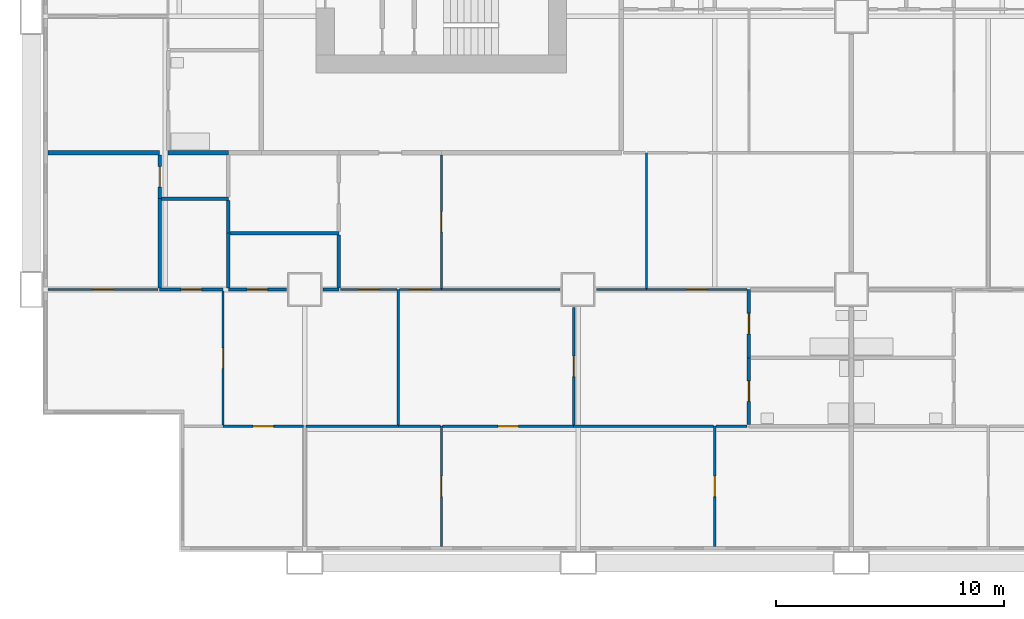
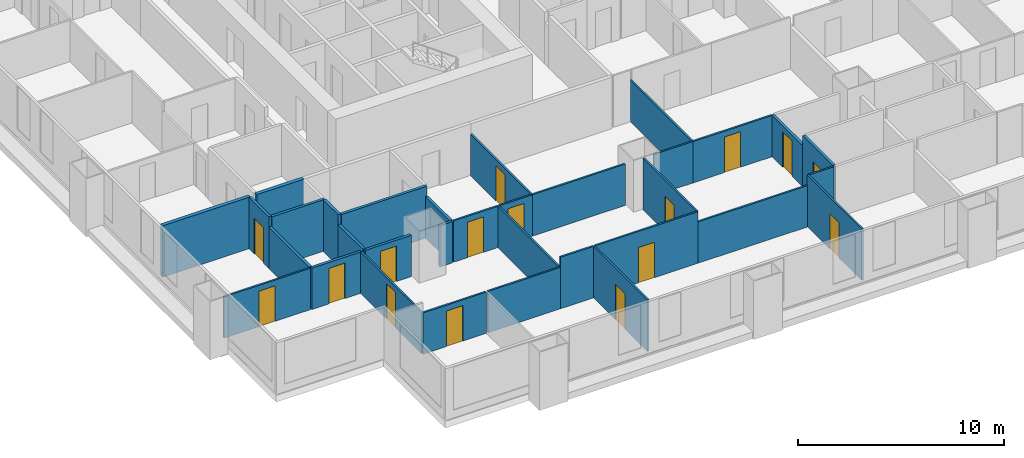
# One storey, part 2 of 14: 33 walls, 16 doors, 16 openings.
"""IFC4 building model written with IfcOpenShell, lengths in metres."""

from ifc_helpers import new_model, si_unit, direction, frame, frame_2d, origin, place, context, subcontext, project, spatial, rectangle, extrude, material, layer, layer_set, type_object, element, fill, save


model = new_model("IFC4")

# Units and contexts
model_context = context("Model", 3, precision=1e-05, world=origin(), true_north=direction((0.0, 1.0)))
body_context = subcontext(model_context, "Body", "Model", "MODEL_VIEW")
ifc_project = project(units=[si_unit("LENGTHUNIT", "METRE"), si_unit("AREAUNIT", "SQUARE_METRE"), si_unit("VOLUMEUNIT", "CUBIC_METRE"), si_unit("PLANEANGLEUNIT", "RADIAN"), si_unit("MASSUNIT", "GRAM", prefix="KILO")], contexts=[model_context])

# Site, building, storey
site_placement = place(None, origin())
site = spatial("IfcSite", under=ifc_project, at=site_placement, CompositionType="ELEMENT")
building_placement = place(site_placement, origin())
building = spatial("IfcBuilding", under=site, at=building_placement, Name="Kitamizu Gate Tower and Museum", CompositionType="ELEMENT")
storey_placement = place(building_placement, frame((0.0, 0.0, 64.5)))
storey = spatial("IfcBuildingStorey", under=building, at=storey_placement, Name="L15", CompositionType="ELEMENT", Elevation=64.5)

# Wall, opening, door
ifc_material_1 = material(Name="Gypsum board on galvanised stud")
ifc_layer_1 = layer(ifc_material_1, 0.10009765625)
ifc_layer_set_1 = layer_set([ifc_layer_1], Name="Gypsum board on galvanised stud")
wall_type_1 = type_object("IfcWallType", Name="Partition 100 NOT RATED", PredefinedType="PARTITIONING", material=ifc_layer_set_1)
wall_1_placement = place(storey_placement, frame((11.949951171875, 6.0, 0.0), z_axis=(0.0, 0.0, 1.0), x_axis=(-1.0, 0.0, 0.0)))
wall_1 = element("IfcWall", 1, at=wall_1_placement, inside=storey, type_object=wall_type_1, Name="Partition L15-003", PredefinedType="PARTITIONING", context=body_context, shape_type="SweptSolid", body=[
    extrude(rectangle(XDim=3.534912109375, YDim=0.10009765625, at=frame_2d((1.767578125, 0.0))), origin(), (0.0, 0.0, 1.0), 2.449951171875),
])
opening_1_placement = place(wall_1_placement, frame((1.3173828125, 0.0, 0.0)))
opening_1 = element("IfcOpeningElement", 2, at=opening_1_placement, cuts=wall_1, Name="Opening L15-008", PredefinedType="OPENING", context=body_context, shape_type="SweptSolid", body=[
    extrude(rectangle(XDim=0.89990234375, YDim=2.10009765625, at=frame_2d((0.449951171875, 1.050048828125))), frame((0.0, 0.06005859375, 0.0), z_axis=(0.0, -1.0, 0.0), x_axis=(1.0, 0.0, 0.0)), (0.0, 0.0, 1.0), 0.1201171875),
])
ifc_material_2 = material(Name="Timber door set", Category="wood")
door_type_1 = type_object("IfcDoorType", Name="Room door 900", OperationType="NOTDEFINED", PredefinedType="DOOR", material=ifc_material_2)
door_1_placement = place(opening_1_placement, origin())
door_1 = element("IfcDoor", 3, at=door_1_placement, inside=storey, type_object=door_type_1, Name="Door L15-008", OperationType="SINGLE_SWING_RIGHT", OverallHeight=2.10009765625, OverallWidth=0.89990234375, PredefinedType="DOOR", context=body_context, shape_type="SweptSolid", body=[
    extrude(rectangle(XDim=0.89990234375, YDim=2.10009765625, at=frame_2d((0.449951171875, 1.050048828125))), frame((0.0, 0.02490234375, 0.0), z_axis=(0.0, -1.0, 0.0), x_axis=(1.0, 0.0, 0.0)), (0.0, 0.0, 1.0), 0.050048828125),
])
fill(opening_1, door_1)

wall_2_placement = place(storey_placement, frame((18.0, 0.719970703125, 0.0), z_axis=(0.0, 0.0, 1.0), x_axis=(0.0, 1.0, 0.0)))
wall_2 = element("IfcWall", 4, at=wall_2_placement, inside=storey, type_object=wall_type_1, Name="Partition L15-004", PredefinedType="PARTITIONING", context=body_context, shape_type="SweptSolid", body=[
    extrude(rectangle(XDim=5.280029296875, YDim=0.10009765625, at=frame_2d((2.64013671875, 0.0))), origin(), (0.0, 0.0, 1.0), 3.050048828125),
])
opening_2_placement = place(wall_2_placement, frame((2.18994140625, 0.0, 0.0)))
opening_2 = element("IfcOpeningElement", 5, at=opening_2_placement, cuts=wall_2, Name="Opening L15-009", PredefinedType="OPENING", context=body_context, shape_type="SweptSolid", body=[
    extrude(rectangle(XDim=0.89990234375, YDim=2.10009765625, at=frame_2d((0.449951171875, 1.050048828125))), frame((0.0, 0.06005859375, 0.0), z_axis=(0.0, -1.0, 0.0), x_axis=(1.0, 0.0, 0.0)), (0.0, 0.0, 1.0), 0.1201171875),
])
door_2_placement = place(opening_2_placement, origin())
door_2 = element("IfcDoor", 6, at=door_2_placement, inside=storey, type_object=door_type_1, Name="Door L15-009", OperationType="SINGLE_SWING_LEFT", OverallHeight=2.10009765625, OverallWidth=0.89990234375, PredefinedType="DOOR", context=body_context, shape_type="SweptSolid", body=[
    extrude(rectangle(XDim=0.89990234375, YDim=2.10009765625, at=frame_2d((0.449951171875, 1.050048828125))), frame((0.0, 0.02490234375, 0.0), z_axis=(0.0, -1.0, 0.0), x_axis=(1.0, 0.0, 0.0)), (0.0, 0.0, 1.0), 0.050048828125),
])
fill(opening_2, door_2)

# Walls
wall_3_placement = place(storey_placement, frame((16.110107421875, 6.0, 0.0), z_axis=(0.0, 0.0, 1.0), x_axis=(-1.0, 0.0, 0.0)))
element("IfcWall", 7, at=wall_3_placement, inside=storey, type_object=wall_type_1, Name="Partition L15-005", PredefinedType="PARTITIONING", context=body_context, shape_type="SweptSolid", body=[
    extrude(rectangle(XDim=4.06005859375, YDim=0.10009765625, at=frame_2d((2.030029296875, 0.0))), origin(), (0.0, 0.0, 1.0), 2.449951171875),
])
wall_4_placement = place(storey_placement, frame((17.949951171875, 6.0, 0.0), z_axis=(0.0, 0.0, 1.0), x_axis=(-1.0, 0.0, 0.0)))
element("IfcWall", 8, at=wall_4_placement, inside=storey, type_object=wall_type_1, Name="Partition L15-006", PredefinedType="PARTITIONING", context=body_context, shape_type="SweptSolid", body=[
    extrude(rectangle(XDim=1.83984375, YDim=0.10009765625, at=frame_2d((0.919921875, 0.0))), origin(), (0.0, 0.0, 1.0), 3.050048828125),
])

# Wall, opening, door
wall_5_placement = place(storey_placement, frame((30.0, 0.719970703125, 0.0), z_axis=(0.0, 0.0, 1.0), x_axis=(0.0, 1.0, 0.0)))
wall_5 = element("IfcWall", 9, at=wall_5_placement, inside=storey, type_object=wall_type_1, Name="Partition L15-007", PredefinedType="PARTITIONING", context=body_context, shape_type="SweptSolid", body=[
    extrude(rectangle(XDim=5.280029296875, YDim=0.10009765625, at=frame_2d((2.64013671875, 0.0))), origin(), (0.0, 0.0, 1.0), 3.050048828125),
])
opening_3_placement = place(wall_5_placement, frame((2.18994140625, 0.0, 0.0)))
opening_3 = element("IfcOpeningElement", 10, at=opening_3_placement, cuts=wall_5, Name="Opening L15-010", PredefinedType="OPENING", context=body_context, shape_type="SweptSolid", body=[
    extrude(rectangle(XDim=0.89990234375, YDim=2.10009765625, at=frame_2d((0.449951171875, 1.050048828125))), frame((0.0, 0.06005859375, 0.0), z_axis=(0.0, -1.0, 0.0), x_axis=(1.0, 0.0, 0.0)), (0.0, 0.0, 1.0), 0.1201171875),
])
door_3_placement = place(opening_3_placement, frame((0.89990234375, 0.0, 0.0), x_axis=(-1.0, 0.0, 0.0)))
door_3 = element("IfcDoor", 11, at=door_3_placement, inside=storey, type_object=door_type_1, Name="Door L15-010", OperationType="SINGLE_SWING_LEFT", OverallHeight=2.10009765625, OverallWidth=0.89990234375, PredefinedType="DOOR", context=body_context, shape_type="SweptSolid", body=[
    extrude(rectangle(XDim=0.89990234375, YDim=2.10009765625, at=frame_2d((0.449951171875, 1.050048828125))), frame((0.0, 0.02490234375, 0.0), z_axis=(0.0, -1.0, 0.0), x_axis=(1.0, 0.0, 0.0)), (0.0, 0.0, 1.0), 0.050048828125),
])
fill(opening_3, door_3)

wall_6_placement = place(storey_placement, frame((23.804931640625, 6.0, 0.0), z_axis=(0.0, 0.0, 1.0), x_axis=(-1.0, 0.0, 0.0)))
wall_6 = element("IfcWall", 12, at=wall_6_placement, inside=storey, type_object=wall_type_1, Name="Partition L15-008", PredefinedType="PARTITIONING", context=body_context, shape_type="SweptSolid", body=[
    extrude(rectangle(XDim=5.7548828125, YDim=0.10009765625, at=frame_2d((2.87744140625, 0.0))), origin(), (0.0, 0.0, 1.0), 3.050048828125),
])
opening_4_placement = place(wall_6_placement, frame((2.427490234375, 0.0, 0.0)))
opening_4 = element("IfcOpeningElement", 13, at=opening_4_placement, cuts=wall_6, Name="Opening L15-005", PredefinedType="OPENING", context=body_context, shape_type="SweptSolid", body=[
    extrude(rectangle(XDim=0.89990234375, YDim=2.10009765625, at=frame_2d((0.449951171875, 1.050048828125))), frame((0.0, 0.06005859375, 0.0), z_axis=(0.0, -1.0, 0.0), x_axis=(1.0, 0.0, 0.0)), (0.0, 0.0, 1.0), 0.1201171875),
])
door_4_placement = place(opening_4_placement, frame((0.89990234375, 0.0, 0.0), x_axis=(-1.0, 0.0, 0.0)))
door_4 = element("IfcDoor", 14, at=door_4_placement, inside=storey, type_object=door_type_1, Name="Door L15-005", OperationType="SINGLE_SWING_LEFT", OverallHeight=2.10009765625, OverallWidth=0.89990234375, PredefinedType="DOOR", context=body_context, shape_type="SweptSolid", body=[
    extrude(rectangle(XDim=0.89990234375, YDim=2.10009765625, at=frame_2d((0.449951171875, 1.050048828125))), frame((0.0, 0.02490234375, 0.0), z_axis=(0.0, -1.0, 0.0), x_axis=(1.0, 0.0, 0.0)), (0.0, 0.0, 1.0), 0.050048828125),
])
fill(opening_4, door_4)

# Walls
wall_7_placement = place(storey_placement, frame((29.949951171875, 6.0, 0.0), z_axis=(0.0, 0.0, 1.0), x_axis=(-1.0, 0.0, 0.0)))
element("IfcWall", 15, at=wall_7_placement, inside=storey, type_object=wall_type_1, Name="Partition L15-009", PredefinedType="PARTITIONING", context=body_context, shape_type="SweptSolid", body=[
    extrude(rectangle(XDim=6.14501953125, YDim=0.10009765625, at=frame_2d((3.072509765625, 0.0))), origin(), (0.0, 0.0, 1.0), 2.449951171875),
])
wall_8_placement = place(storey_placement, frame((31.425048828125, 6.0, 0.0), z_axis=(0.0, 0.0, 1.0), x_axis=(-1.0, 0.0, 0.0)))
element("IfcWall", 16, at=wall_8_placement, inside=storey, type_object=wall_type_1, Name="Partition L15-010", PredefinedType="PARTITIONING", context=body_context, shape_type="SweptSolid", body=[
    extrude(rectangle(XDim=1.375, YDim=0.10009765625, at=frame_2d((0.6875, 0.0))), origin(), (0.0, 0.0, 1.0), 3.050048828125),
])

# Wall, opening, door
wall_9_placement = place(storey_placement, frame((8.4150390625, 6.050048828125, 0.0), z_axis=(0.0, 0.0, 1.0), x_axis=(0.0, 1.0, 0.0)))
wall_9 = element("IfcWall", 17, at=wall_9_placement, inside=storey, type_object=wall_type_1, Name="Partition L15-013", PredefinedType="PARTITIONING", context=body_context, shape_type="SweptSolid", body=[
    extrude(rectangle(XDim=5.875, YDim=0.10009765625, at=frame_2d((2.9375, 0.0))), origin(), (0.0, 0.0, 1.0), 2.449951171875),
])
opening_5_placement = place(wall_9_placement, frame((2.487548828125, 0.0, 0.0)))
opening_5 = element("IfcOpeningElement", 18, at=opening_5_placement, cuts=wall_9, Name="Opening L15-004", PredefinedType="OPENING", context=body_context, shape_type="SweptSolid", body=[
    extrude(rectangle(XDim=0.89990234375, YDim=2.10009765625, at=frame_2d((0.449951171875, 1.050048828125))), frame((0.0, 0.06005859375, 0.0), z_axis=(0.0, -1.0, 0.0), x_axis=(1.0, 0.0, 0.0)), (0.0, 0.0, 1.0), 0.1201171875),
])
door_5_placement = place(opening_5_placement, frame((0.89990234375, 0.0, 0.0), x_axis=(-1.0, 0.0, 0.0)))
door_5 = element("IfcDoor", 19, at=door_5_placement, inside=storey, type_object=door_type_1, Name="Door L15-004", OperationType="SINGLE_SWING_RIGHT", OverallHeight=2.10009765625, OverallWidth=0.89990234375, PredefinedType="DOOR", context=body_context, shape_type="SweptSolid", body=[
    extrude(rectangle(XDim=0.89990234375, YDim=2.10009765625, at=frame_2d((0.449951171875, 1.050048828125))), frame((0.0, 0.02490234375, 0.0), z_axis=(0.0, -1.0, 0.0), x_axis=(1.0, 0.0, 0.0)), (0.0, 0.0, 1.0), 0.050048828125),
])
fill(opening_5, door_5)

wall_10_placement = place(storey_placement, frame((5.55810546875, 12.0, 0.0), z_axis=(0.0, 0.0, 1.0), x_axis=(-1.0, 0.0, 0.0)))
wall_10 = element("IfcWall", 20, at=wall_10_placement, inside=storey, type_object=wall_type_1, Name="Partition L15-014", PredefinedType="PARTITIONING", context=body_context, shape_type="SweptSolid", body=[
    extrude(rectangle(XDim=4.838134765625, YDim=0.10009765625, at=frame_2d((2.4189453125, 0.0))), origin(), (0.0, 0.0, 1.0), 2.449951171875),
])
opening_6_placement = place(wall_10_placement, frame((1.968994140625, 0.0, 0.0)))
opening_6 = element("IfcOpeningElement", 21, at=opening_6_placement, cuts=wall_10, Name="Opening L15-012", PredefinedType="OPENING", context=body_context, shape_type="SweptSolid", body=[
    extrude(rectangle(XDim=0.89990234375, YDim=2.10009765625, at=frame_2d((0.449951171875, 1.050048828125))), frame((0.0, 0.06005859375, 0.0), z_axis=(0.0, -1.0, 0.0), x_axis=(1.0, 0.0, 0.0)), (0.0, 0.0, 1.0), 0.1201171875),
])
door_6_placement = place(opening_6_placement, frame((0.89990234375, 0.0, 0.0), x_axis=(-1.0, 0.0, 0.0)))
door_6 = element("IfcDoor", 22, at=door_6_placement, inside=storey, type_object=door_type_1, Name="Door L15-012", OperationType="SINGLE_SWING_LEFT", OverallHeight=2.10009765625, OverallWidth=0.89990234375, PredefinedType="DOOR", context=body_context, shape_type="SweptSolid", body=[
    extrude(rectangle(XDim=0.89990234375, YDim=2.10009765625, at=frame_2d((0.449951171875, 1.050048828125))), frame((0.0, 0.02490234375, 0.0), z_axis=(0.0, -1.0, 0.0), x_axis=(1.0, 0.0, 0.0)), (0.0, 0.0, 1.0), 0.050048828125),
])
fill(opening_6, door_6)

# Wall
wall_11_placement = place(storey_placement, frame((16.110107421875, 6.050048828125, 0.0), z_axis=(0.0, 0.0, 1.0), x_axis=(0.0, 1.0, 0.0)))
element("IfcWall", 23, at=wall_11_placement, inside=storey, type_object=wall_type_1, Name="Partition L15-016", PredefinedType="PARTITIONING", context=body_context, shape_type="SweptSolid", body=[
    extrude(rectangle(XDim=5.949951171875, YDim=0.10009765625, at=frame_2d((2.97509765625, 0.0))), origin(), (0.0, 0.0, 1.0), 2.449951171875),
])

# Wall, opening, door
wall_12_placement = place(storey_placement, frame((16.06005859375, 12.0, 0.0), z_axis=(0.0, 0.0, 1.0), x_axis=(-1.0, 0.0, 0.0)))
wall_12 = element("IfcWall", 24, at=wall_12_placement, inside=storey, type_object=wall_type_1, Name="Partition L15-019", PredefinedType="PARTITIONING", context=body_context, shape_type="SweptSolid", body=[
    extrude(rectangle(XDim=2.485107421875, YDim=0.10009765625, at=frame_2d((1.24267578125, 0.0))), origin(), (0.0, 0.0, 1.0), 2.449951171875),
])
opening_7_placement = place(wall_12_placement, frame((0.79248046875, 0.0, 0.0)))
opening_7 = element("IfcOpeningElement", 25, at=opening_7_placement, cuts=wall_12, Name="Opening L15-002", PredefinedType="OPENING", context=body_context, shape_type="SweptSolid", body=[
    extrude(rectangle(XDim=0.89990234375, YDim=2.10009765625, at=frame_2d((0.449951171875, 1.050048828125))), frame((0.0, 0.06005859375, 0.0), z_axis=(0.0, -1.0, 0.0), x_axis=(1.0, 0.0, 0.0)), (0.0, 0.0, 1.0), 0.1201171875),
])
door_7_placement = place(opening_7_placement, origin())
door_7 = element("IfcDoor", 26, at=door_7_placement, inside=storey, type_object=door_type_1, Name="Door L15-002", OperationType="SINGLE_SWING_RIGHT", OverallHeight=2.10009765625, OverallWidth=0.89990234375, PredefinedType="DOOR", context=body_context, shape_type="SweptSolid", body=[
    extrude(rectangle(XDim=0.89990234375, YDim=2.10009765625, at=frame_2d((0.449951171875, 1.050048828125))), frame((0.0, 0.02490234375, 0.0), z_axis=(0.0, -1.0, 0.0), x_axis=(1.0, 0.0, 0.0)), (0.0, 0.0, 1.0), 0.050048828125),
])
fill(opening_7, door_7)

wall_13_placement = place(storey_placement, frame((23.804931640625, 6.050048828125, 0.0), z_axis=(0.0, 0.0, 1.0), x_axis=(0.0, 1.0, 0.0)))
wall_13 = element("IfcWall", 27, at=wall_13_placement, inside=storey, type_object=wall_type_1, Name="Partition L15-020", PredefinedType="PARTITIONING", context=body_context, shape_type="SweptSolid", body=[
    extrude(rectangle(XDim=5.14990234375, YDim=0.10009765625, at=frame_2d((2.574951171875, 0.0))), origin(), (0.0, 0.0, 1.0), 3.050048828125),
])
opening_8_placement = place(wall_13_placement, frame((2.125, 0.0, 0.0)))
opening_8 = element("IfcOpeningElement", 28, at=opening_8_placement, cuts=wall_13, Name="Opening L15-006", PredefinedType="OPENING", context=body_context, shape_type="SweptSolid", body=[
    extrude(rectangle(XDim=0.89990234375, YDim=2.10009765625, at=frame_2d((0.449951171875, 1.050048828125))), frame((0.0, 0.06005859375, 0.0), z_axis=(0.0, -1.0, 0.0), x_axis=(1.0, 0.0, 0.0)), (0.0, 0.0, 1.0), 0.1201171875),
])
door_8_placement = place(opening_8_placement, frame((0.89990234375, 0.0, 0.0), x_axis=(-1.0, 0.0, 0.0)))
door_8 = element("IfcDoor", 29, at=door_8_placement, inside=storey, type_object=door_type_1, Name="Door L15-006", OperationType="SINGLE_SWING_RIGHT", OverallHeight=2.10009765625, OverallWidth=0.89990234375, PredefinedType="DOOR", context=body_context, shape_type="SweptSolid", body=[
    extrude(rectangle(XDim=0.89990234375, YDim=2.10009765625, at=frame_2d((0.449951171875, 1.050048828125))), frame((0.0, 0.02490234375, 0.0), z_axis=(0.0, -1.0, 0.0), x_axis=(1.0, 0.0, 0.0)), (0.0, 0.0, 1.0), 0.050048828125),
])
fill(opening_8, door_8)

wall_14_placement = place(storey_placement, frame((18.0, 12.0, 0.0), z_axis=(0.0, 0.0, 1.0), x_axis=(-1.0, 0.0, 0.0)))
wall_14 = element("IfcWall", 30, at=wall_14_placement, inside=storey, type_object=wall_type_1, Name="Partition L15-021", PredefinedType="PARTITIONING", context=body_context, shape_type="SweptSolid", body=[
    extrude(rectangle(XDim=1.840087890625, YDim=0.10009765625, at=frame_2d((0.919921875, 0.0))), origin(), (0.0, 0.0, 1.0), 2.449951171875),
])
opening_9_placement = place(wall_14_placement, frame((0.469970703125, 0.0, 0.0)))
opening_9 = element("IfcOpeningElement", 31, at=opening_9_placement, cuts=wall_14, Name="Opening L15-003", PredefinedType="OPENING", context=body_context, shape_type="SweptSolid", body=[
    extrude(rectangle(XDim=0.89990234375, YDim=2.10009765625, at=frame_2d((0.449951171875, 1.050048828125))), frame((0.0, 0.06005859375, 0.0), z_axis=(0.0, -1.0, 0.0), x_axis=(1.0, 0.0, 0.0)), (0.0, 0.0, 1.0), 0.1201171875),
])
door_9_placement = place(opening_9_placement, origin())
door_9 = element("IfcDoor", 32, at=door_9_placement, inside=storey, type_object=door_type_1, Name="Door L15-003", OperationType="SINGLE_SWING_LEFT", OverallHeight=2.10009765625, OverallWidth=0.89990234375, PredefinedType="DOOR", context=body_context, shape_type="SweptSolid", body=[
    extrude(rectangle(XDim=0.89990234375, YDim=2.10009765625, at=frame_2d((0.449951171875, 1.050048828125))), frame((0.0, 0.02490234375, 0.0), z_axis=(0.0, -1.0, 0.0), x_axis=(1.0, 0.0, 0.0)), (0.0, 0.0, 1.0), 0.050048828125),
])
fill(opening_9, door_9)

# Walls
wall_15_placement = place(storey_placement, frame((23.199951171875, 12.0, 0.0), z_axis=(0.0, 0.0, 1.0), x_axis=(-1.0, 0.0, 0.0)))
element("IfcWall", 33, at=wall_15_placement, inside=storey, type_object=wall_type_1, Name="Partition L15-022", PredefinedType="PARTITIONING", context=body_context, shape_type="SweptSolid", body=[
    extrude(rectangle(XDim=5.199951171875, YDim=0.10009765625, at=frame_2d((2.60009765625, 0.0))), origin(), (0.0, 0.0, 1.0), 2.449951171875),
])
wall_16_placement = place(storey_placement, frame((27.0, 12.0, 0.0), z_axis=(0.0, 0.0, 1.0), x_axis=(-1.0, 0.0, 0.0)))
element("IfcWall", 34, at=wall_16_placement, inside=storey, type_object=wall_type_1, Name="Partition L15-025", PredefinedType="PARTITIONING", context=body_context, shape_type="SweptSolid", body=[
    extrude(rectangle(XDim=2.199951171875, YDim=0.10009765625, at=frame_2d((1.10009765625, 0.0))), origin(), (0.0, 0.0, 1.0), 2.449951171875),
])

# Wall, opening, door
wall_17_placement = place(storey_placement, frame((31.425048828125, 12.0, 0.0), z_axis=(0.0, 0.0, 1.0), x_axis=(-1.0, 0.0, 0.0)))
wall_17 = element("IfcWall", 35, at=wall_17_placement, inside=storey, type_object=wall_type_1, Name="Partition L15-026", PredefinedType="PARTITIONING", context=body_context, shape_type="SweptSolid", body=[
    extrude(rectangle(XDim=4.425048828125, YDim=0.10009765625, at=frame_2d((2.21240234375, 0.0))), origin(), (0.0, 0.0, 1.0), 2.449951171875),
])
opening_10_placement = place(wall_17_placement, frame((1.762451171875, 0.0, 0.0)))
opening_10 = element("IfcOpeningElement", 36, at=opening_10_placement, cuts=wall_17, Name="Opening L15-017", PredefinedType="OPENING", context=body_context, shape_type="SweptSolid", body=[
    extrude(rectangle(XDim=0.89990234375, YDim=2.10009765625, at=frame_2d((0.449951171875, 1.050048828125))), frame((0.0, 0.06005859375, 0.0), z_axis=(0.0, -1.0, 0.0), x_axis=(1.0, 0.0, 0.0)), (0.0, 0.0, 1.0), 0.1201171875),
])
door_10_placement = place(opening_10_placement, origin())
door_10 = element("IfcDoor", 37, at=door_10_placement, inside=storey, type_object=door_type_1, Name="Door L15-017", OperationType="SINGLE_SWING_LEFT", OverallHeight=2.10009765625, OverallWidth=0.89990234375, PredefinedType="DOOR", context=body_context, shape_type="SweptSolid", body=[
    extrude(rectangle(XDim=0.89990234375, YDim=2.10009765625, at=frame_2d((0.449951171875, 1.050048828125))), frame((0.0, 0.02490234375, 0.0), z_axis=(0.0, -1.0, 0.0), x_axis=(1.0, 0.0, 0.0)), (0.0, 0.0, 1.0), 0.050048828125),
])
fill(opening_10, door_10)

wall_18_placement = place(storey_placement, frame((18.0, 12.050048828125, 0.0), z_axis=(0.0, 0.0, 1.0), x_axis=(0.0, 1.0, 0.0)))
wall_18 = element("IfcWall", 38, at=wall_18_placement, inside=storey, type_object=wall_type_1, Name="Partition L15-044", PredefinedType="PARTITIONING", context=body_context, shape_type="SweptSolid", body=[
    extrude(rectangle(XDim=5.849853515625, YDim=0.10009765625, at=frame_2d((2.9248046875, 0.0))), origin(), (0.0, 0.0, 1.0), 2.449951171875),
])
opening_11_placement = place(wall_18_placement, frame((2.47509765625, 0.0, 0.0)))
opening_11 = element("IfcOpeningElement", 39, at=opening_11_placement, cuts=wall_18, Name="Opening L15-016", PredefinedType="OPENING", context=body_context, shape_type="SweptSolid", body=[
    extrude(rectangle(XDim=0.89990234375, YDim=2.10009765625, at=frame_2d((0.449951171875, 1.050048828125))), frame((0.0, 0.06005859375, 0.0), z_axis=(0.0, -1.0, 0.0), x_axis=(1.0, 0.0, 0.0)), (0.0, 0.0, 1.0), 0.1201171875),
])
door_11_placement = place(opening_11_placement, frame((0.89990234375, 0.0, 0.0), x_axis=(-1.0, 0.0, 0.0)))
door_11 = element("IfcDoor", 40, at=door_11_placement, inside=storey, type_object=door_type_1, Name="Door L15-016", OperationType="SINGLE_SWING_LEFT", OverallHeight=2.10009765625, OverallWidth=0.89990234375, PredefinedType="DOOR", context=body_context, shape_type="SweptSolid", body=[
    extrude(rectangle(XDim=0.89990234375, YDim=2.10009765625, at=frame_2d((0.449951171875, 1.050048828125))), frame((0.0, 0.02490234375, 0.0), z_axis=(0.0, -1.0, 0.0), x_axis=(1.0, 0.0, 0.0)), (0.0, 0.0, 1.0), 0.050048828125),
])
fill(opening_11, door_11)

# Wall
wall_19_placement = place(storey_placement, frame((27.0, 12.050048828125, 0.0), z_axis=(0.0, 0.0, 1.0), x_axis=(0.0, 1.0, 0.0)))
element("IfcWall", 41, at=wall_19_placement, inside=storey, type_object=wall_type_1, Name="Partition L15-046", PredefinedType="PARTITIONING", context=body_context, shape_type="SweptSolid", body=[
    extrude(rectangle(XDim=5.949951171875, YDim=0.10009765625, at=frame_2d((2.97509765625, 0.0))), origin(), (0.0, 0.0, 1.0), 2.449951171875),
])

# Wall, opening, door
ifc_material_3 = material(Name="Gypsum board on galvanised stud")
ifc_layer_2 = layer(ifc_material_3, 0.14990234375)
ifc_layer_set_2 = layer_set([ifc_layer_2], Name="Gypsum board on galvanised stud")
wall_type_2 = type_object("IfcWallType", Name="Partition 150", PredefinedType="PARTITIONING", material=ifc_layer_set_2)
wall_20_placement = place(storey_placement, frame((8.4150390625, 12.0, 0.0), z_axis=(0.0, 0.0, 1.0), x_axis=(-1.0, 0.0, 0.0)))
wall_20 = element("IfcWall", 42, at=wall_20_placement, inside=storey, type_object=wall_type_2, Name="Partition L15-015", PredefinedType="PARTITIONING", context=body_context, shape_type="SweptSolid", body=[
    extrude(rectangle(XDim=2.781982421875, YDim=0.14990234375, at=frame_2d((1.39111328125, 0.0))), origin(), (0.0, 0.0, 1.0), 2.449951171875),
])
opening_12_placement = place(wall_20_placement, frame((0.94091796875, 0.0, 0.0)))
opening_12 = element("IfcOpeningElement", 43, at=opening_12_placement, cuts=wall_20, Name="Opening L15-013", PredefinedType="OPENING", context=body_context, shape_type="SweptSolid", body=[
    extrude(rectangle(XDim=0.89990234375, YDim=2.10009765625, at=frame_2d((0.449951171875, 1.050048828125))), frame((0.0, 0.0849609375, 0.0), z_axis=(0.0, -1.0, 0.0), x_axis=(1.0, 0.0, 0.0)), (0.0, 0.0, 1.0), 0.169921875),
])
ifc_material_4 = material(Name="Timber door set", Category="wood")
door_type_2 = type_object("IfcDoorType", Name="Bathroom door 900", OperationType="NOTDEFINED", PredefinedType="DOOR", material=ifc_material_4)
door_12_placement = place(opening_12_placement, frame((0.89990234375, 0.0, 0.0), x_axis=(-1.0, 0.0, 0.0)))
door_12 = element("IfcDoor", 44, at=door_12_placement, inside=storey, type_object=door_type_2, Name="Bathroom door L15-013", OperationType="SINGLE_SWING_RIGHT", OverallHeight=2.10009765625, OverallWidth=0.89990234375, PredefinedType="DOOR", context=body_context, shape_type="SweptSolid", body=[
    extrude(rectangle(XDim=0.89990234375, YDim=2.10009765625, at=frame_2d((0.449951171875, 1.050048828125))), frame((0.0, 0.02490234375, 0.0), z_axis=(0.0, -1.0, 0.0), x_axis=(1.0, 0.0, 0.0)), (0.0, 0.0, 1.0), 0.050048828125),
])
fill(opening_12, door_12)

wall_21_placement = place(storey_placement, frame((11.199951171875, 12.0, 0.0), z_axis=(0.0, 0.0, 1.0), x_axis=(-1.0, 0.0, 0.0)))
wall_21 = element("IfcWall", 45, at=wall_21_placement, inside=storey, type_object=wall_type_2, Name="Partition L15-017", PredefinedType="PARTITIONING", context=body_context, shape_type="SweptSolid", body=[
    extrude(rectangle(XDim=2.555908203125, YDim=0.14990234375, at=frame_2d((1.27783203125, 0.0))), origin(), (0.0, 0.0, 1.0), 2.449951171875),
])
opening_13_placement = place(wall_21_placement, frame((0.827880859375, 0.0, 0.0)))
opening_13 = element("IfcOpeningElement", 46, at=opening_13_placement, cuts=wall_21, Name="Opening L15-014", PredefinedType="OPENING", context=body_context, shape_type="SweptSolid", body=[
    extrude(rectangle(XDim=0.89990234375, YDim=2.10009765625, at=frame_2d((0.449951171875, 1.050048828125))), frame((0.0, 0.0849609375, 0.0), z_axis=(0.0, -1.0, 0.0), x_axis=(1.0, 0.0, 0.0)), (0.0, 0.0, 1.0), 0.169921875),
])
door_13_placement = place(opening_13_placement, frame((0.89990234375, 0.0, 0.0), x_axis=(-1.0, 0.0, 0.0)))
door_13 = element("IfcDoor", 47, at=door_13_placement, inside=storey, type_object=door_type_2, Name="Bathroom door L15-014", OperationType="SINGLE_SWING_LEFT", OverallHeight=2.10009765625, OverallWidth=0.89990234375, PredefinedType="DOOR", context=body_context, shape_type="SweptSolid", body=[
    extrude(rectangle(XDim=0.89990234375, YDim=2.10009765625, at=frame_2d((0.449951171875, 1.050048828125))), frame((0.0, 0.02490234375, 0.0), z_axis=(0.0, -1.0, 0.0), x_axis=(1.0, 0.0, 0.0)), (0.0, 0.0, 1.0), 0.050048828125),
])
fill(opening_13, door_13)

# Wall
wall_22_placement = place(storey_placement, frame((13.5, 12.0, 0.0), z_axis=(0.0, 0.0, 1.0), x_axis=(-1.0, 0.0, 0.0)))
element("IfcWall", 48, at=wall_22_placement, inside=storey, type_object=wall_type_2, Name="Partition L15-018", PredefinedType="PARTITIONING", context=body_context, shape_type="SweptSolid", body=[
    extrude(rectangle(XDim=0.699951171875, YDim=0.14990234375, at=frame_2d((0.35009765625, 0.0))), origin(), (0.0, 0.0, 1.0), 2.449951171875),
])

# Wall, opening, door
wall_23_placement = place(storey_placement, frame((31.5, 6.074951171875, 0.0), z_axis=(0.0, 0.0, 1.0), x_axis=(0.0, 1.0, 0.0)))
wall_23 = element("IfcWall", 49, at=wall_23_placement, inside=storey, type_object=wall_type_2, Name="Partition L15-023", PredefinedType="PARTITIONING", context=body_context, shape_type="SweptSolid", body=[
    extrude(rectangle(XDim=2.925048828125, YDim=0.14990234375, at=frame_2d((1.46240234375, 0.0))), origin(), (0.0, 0.0, 1.0), 3.050048828125),
])
opening_14_placement = place(wall_23_placement, frame((1.012451171875, 0.0, 0.0)))
opening_14 = element("IfcOpeningElement", 50, at=opening_14_placement, cuts=wall_23, Name="Opening L15-007", PredefinedType="OPENING", context=body_context, shape_type="SweptSolid", body=[
    extrude(rectangle(XDim=0.89990234375, YDim=2.10009765625, at=frame_2d((0.449951171875, 1.050048828125))), frame((0.0, 0.0849609375, 0.0), z_axis=(0.0, -1.0, 0.0), x_axis=(1.0, 0.0, 0.0)), (0.0, 0.0, 1.0), 0.169921875),
])
door_14_placement = place(opening_14_placement, frame((0.89990234375, 0.0, 0.0), x_axis=(-1.0, 0.0, 0.0)))
door_14 = element("IfcDoor", 51, at=door_14_placement, inside=storey, type_object=door_type_2, Name="Bathroom door L15-007", OperationType="SINGLE_SWING_LEFT", OverallHeight=2.10009765625, OverallWidth=0.89990234375, PredefinedType="DOOR", context=body_context, shape_type="SweptSolid", body=[
    extrude(rectangle(XDim=0.89990234375, YDim=2.10009765625, at=frame_2d((0.449951171875, 1.050048828125))), frame((0.0, 0.02490234375, 0.0), z_axis=(0.0, -1.0, 0.0), x_axis=(1.0, 0.0, 0.0)), (0.0, 0.0, 1.0), 0.050048828125),
])
fill(opening_14, door_14)

wall_24_placement = place(storey_placement, frame((31.5, 9.0, 0.0), z_axis=(0.0, 0.0, 1.0), x_axis=(0.0, 1.0, 0.0)))
wall_24 = element("IfcWall", 52, at=wall_24_placement, inside=storey, type_object=wall_type_2, Name="Partition L15-024", PredefinedType="PARTITIONING", context=body_context, shape_type="SweptSolid", body=[
    extrude(rectangle(XDim=3.0, YDim=0.14990234375, at=frame_2d((1.5, 0.0))), origin(), (0.0, 0.0, 1.0), 2.449951171875),
])
opening_15_placement = place(wall_24_placement, frame((1.050048828125, 0.0, 0.0)))
opening_15 = element("IfcOpeningElement", 53, at=opening_15_placement, cuts=wall_24, Name="Opening L15-011", PredefinedType="OPENING", context=body_context, shape_type="SweptSolid", body=[
    extrude(rectangle(XDim=0.89990234375, YDim=2.10009765625, at=frame_2d((0.449951171875, 1.050048828125))), frame((0.0, 0.0849609375, 0.0), z_axis=(0.0, -1.0, 0.0), x_axis=(1.0, 0.0, 0.0)), (0.0, 0.0, 1.0), 0.169921875),
])
door_15_placement = place(opening_15_placement, frame((0.89990234375, 0.0, 0.0), x_axis=(-1.0, 0.0, 0.0)))
door_15 = element("IfcDoor", 54, at=door_15_placement, inside=storey, type_object=door_type_2, Name="Bathroom door L15-011", OperationType="SINGLE_SWING_RIGHT", OverallHeight=2.10009765625, OverallWidth=0.89990234375, PredefinedType="DOOR", context=body_context, shape_type="SweptSolid", body=[
    extrude(rectangle(XDim=0.89990234375, YDim=2.10009765625, at=frame_2d((0.449951171875, 1.050048828125))), frame((0.0, 0.02490234375, 0.0), z_axis=(0.0, -1.0, 0.0), x_axis=(1.0, 0.0, 0.0)), (0.0, 0.0, 1.0), 0.050048828125),
])
fill(opening_15, door_15)

# Wall
wall_25_placement = place(storey_placement, frame((5.633056640625, 12.074951171875, 0.0), z_axis=(0.0, 0.0, 1.0), x_axis=(0.0, 1.0, 0.0)))
element("IfcWall", 55, at=wall_25_placement, inside=storey, type_object=wall_type_2, Name="Partition L15-031", PredefinedType="PARTITIONING", context=body_context, shape_type="SweptSolid", body=[
    extrude(rectangle(XDim=3.91015625, YDim=0.14990234375, at=frame_2d((1.955078125, 0.0))), origin(), (0.0, 0.0, 1.0), 2.449951171875),
])

# Wall, opening, door
wall_26_placement = place(storey_placement, frame((5.633056640625, 15.985107421875, 0.0), z_axis=(0.0, 0.0, 1.0), x_axis=(0.0, 1.0, 0.0)))
wall_26 = element("IfcWall", 56, at=wall_26_placement, inside=storey, type_object=wall_type_2, Name="Partition L15-032", PredefinedType="PARTITIONING", context=body_context, shape_type="SweptSolid", body=[
    extrude(rectangle(XDim=1.914794921875, YDim=0.14990234375, at=frame_2d((0.95751953125, 0.0))), origin(), (0.0, 0.0, 1.0), 3.050048828125),
])
opening_16_placement = place(wall_26_placement, frame((0.507568359375, 0.0, 0.0)))
opening_16 = element("IfcOpeningElement", 57, at=opening_16_placement, cuts=wall_26, Name="Opening L15-018", PredefinedType="OPENING", context=body_context, shape_type="SweptSolid", body=[
    extrude(rectangle(XDim=0.89990234375, YDim=2.10009765625, at=frame_2d((0.449951171875, 1.050048828125))), frame((0.0, 0.0849609375, 0.0), z_axis=(0.0, -1.0, 0.0), x_axis=(1.0, 0.0, 0.0)), (0.0, 0.0, 1.0), 0.169921875),
])
door_16_placement = place(opening_16_placement, frame((0.89990234375, 0.0, 0.0), x_axis=(-1.0, 0.0, 0.0)))
door_16 = element("IfcDoor", 58, at=door_16_placement, inside=storey, type_object=door_type_2, Name="Bathroom door L15-018", OperationType="SINGLE_SWING_LEFT", OverallHeight=2.10009765625, OverallWidth=0.89990234375, PredefinedType="DOOR", context=body_context, shape_type="SweptSolid", body=[
    extrude(rectangle(XDim=0.89990234375, YDim=2.10009765625, at=frame_2d((0.449951171875, 1.050048828125))), frame((0.0, 0.02490234375, 0.0), z_axis=(0.0, -1.0, 0.0), x_axis=(1.0, 0.0, 0.0)), (0.0, 0.0, 1.0), 0.050048828125),
])
fill(opening_16, door_16)

# Walls
wall_27_placement = place(storey_placement, frame((8.64404296875, 15.985107421875, 0.0), z_axis=(0.0, 0.0, 1.0), x_axis=(-1.0, 0.0, 0.0)))
element("IfcWall", 59, at=wall_27_placement, inside=storey, type_object=wall_type_2, Name="Partition L15-034", PredefinedType="PARTITIONING", context=body_context, shape_type="SweptSolid", body=[
    extrude(rectangle(XDim=2.93603515625, YDim=0.14990234375, at=frame_2d((1.468017578125, 0.0))), origin(), (0.0, 0.0, 1.0), 3.050048828125),
])
wall_28_placement = place(storey_placement, frame((8.64404296875, 12.074951171875, 0.0), z_axis=(0.0, 0.0, 1.0), x_axis=(0.0, 1.0, 0.0)))
element("IfcWall", 60, at=wall_28_placement, inside=storey, type_object=wall_type_2, Name="Partition L15-035", PredefinedType="PARTITIONING", context=body_context, shape_type="SweptSolid", body=[
    extrude(rectangle(XDim=2.39599609375, YDim=0.14990234375, at=frame_2d((1.197998046875, 0.0))), origin(), (0.0, 0.0, 1.0), 2.449951171875),
])
wall_29_placement = place(storey_placement, frame((8.64404296875, 14.470947265625, 0.0), z_axis=(0.0, 0.0, 1.0), x_axis=(0.0, 1.0, 0.0)))
element("IfcWall", 61, at=wall_29_placement, inside=storey, type_object=wall_type_2, Name="Partition L15-036", PredefinedType="PARTITIONING", context=body_context, shape_type="SweptSolid", body=[
    extrude(rectangle(XDim=1.43896484375, YDim=0.14990234375, at=frame_2d((0.719482421875, 0.0))), origin(), (0.0, 0.0, 1.0), 3.050048828125),
])
wall_30_placement = place(storey_placement, frame((13.5, 14.470947265625, 0.0), z_axis=(0.0, 0.0, 1.0), x_axis=(-1.0, 0.0, 0.0)))
element("IfcWall", 62, at=wall_30_placement, inside=storey, type_object=wall_type_2, Name="Partition L15-039", PredefinedType="PARTITIONING", context=body_context, shape_type="SweptSolid", body=[
    extrude(rectangle(XDim=4.781005859375, YDim=0.14990234375, at=frame_2d((2.390625, 0.0))), origin(), (0.0, 0.0, 1.0), 3.050048828125),
])
wall_31_placement = place(storey_placement, frame((13.5, 12.074951171875, 0.0), z_axis=(0.0, 0.0, 1.0), x_axis=(0.0, 1.0, 0.0)))
element("IfcWall", 63, at=wall_31_placement, inside=storey, type_object=wall_type_2, Name="Partition L15-040", PredefinedType="PARTITIONING", context=body_context, shape_type="SweptSolid", body=[
    extrude(rectangle(XDim=2.321044921875, YDim=0.14990234375, at=frame_2d((1.16064453125, 0.0))), origin(), (0.0, 0.0, 1.0), 2.449951171875),
])
ifc_material_5 = material(Name="Gypsum board on galvanised stud")
ifc_layer_3 = layer(ifc_material_5, 0.199951171875)
ifc_layer_set_3 = layer_set([ifc_layer_3], Name="Gypsum board on galvanised stud")
wall_type_3 = type_object("IfcWallType", Name="Partition 200", PredefinedType="PARTITIONING", material=ifc_layer_set_3)
wall_32_placement = place(storey_placement, frame((5.633056640625, 18.0, 0.0), z_axis=(0.0, 0.0, 1.0), x_axis=(-1.0, 0.0, 0.0)))
element("IfcWall", 64, at=wall_32_placement, inside=storey, type_object=wall_type_3, Name="Partition L15-033", PredefinedType="PARTITIONING", context=body_context, shape_type="SweptSolid", body=[
    extrude(rectangle(XDim=4.9130859375, YDim=0.199951171875, at=frame_2d((2.45654296875, 0.0))), origin(), (0.0, 0.0, 1.0), 3.050048828125),
])
wall_33_placement = place(storey_placement, frame((8.64404296875, 18.0, 0.0), z_axis=(0.0, 0.0, 1.0), x_axis=(-1.0, 0.0, 0.0)))
element("IfcWall", 65, at=wall_33_placement, inside=storey, type_object=wall_type_3, Name="Partition L15-038", PredefinedType="PARTITIONING", context=body_context, shape_type="SweptSolid", body=[
    extrude(rectangle(XDim=2.64404296875, YDim=0.199951171875, at=frame_2d((1.322021484375, 0.0))), origin(), (0.0, 0.0, 1.0), 3.050048828125),
])

save(model, "model.ifc")
